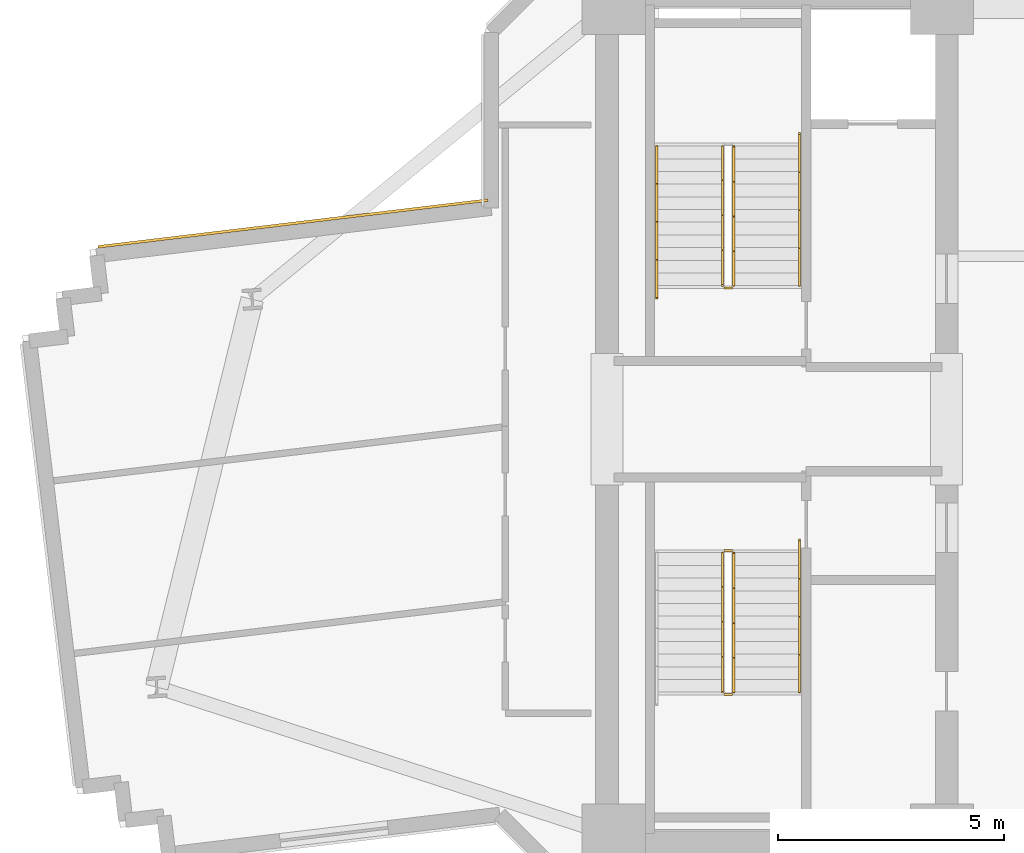
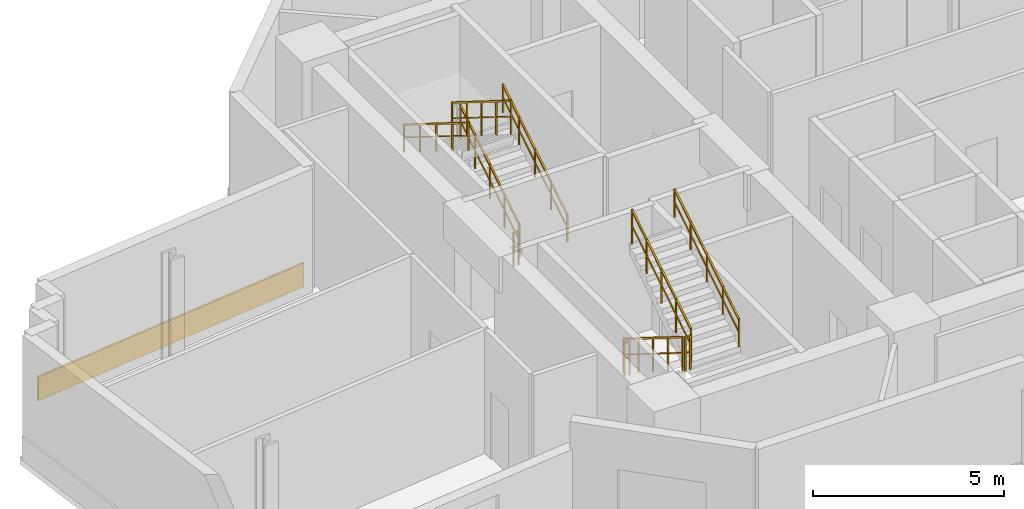
# One storey, part 12 of 15: 10 railings, 1 covering.
"""IFC4 building model written with IfcOpenShell, lengths in metres."""

from ifc_helpers import new_model, si_unit, direction, frame, origin, origin_2d, place, context, subcontext, project, spatial, rectangle, extrude, source, transform, mapped, material, layer, layer_set, type_object, element, save


model = new_model("IFC4")

# Units and contexts
model_context = context("Model", 3, precision=1e-05, world=origin(), true_north=direction((0.0, 1.0)))
body_context = subcontext(model_context, "Body", "Model", "MODEL_VIEW")
ifc_project = project(units=[si_unit("LENGTHUNIT", "METRE"), si_unit("AREAUNIT", "SQUARE_METRE"), si_unit("VOLUMEUNIT", "CUBIC_METRE"), si_unit("PLANEANGLEUNIT", "RADIAN"), si_unit("MASSUNIT", "GRAM", prefix="KILO")], contexts=[model_context])

# Site, building, storey
site_placement = place(None, origin())
site = spatial("IfcSite", under=ifc_project, at=site_placement, CompositionType="ELEMENT")
building_placement = place(site_placement, origin())
building = spatial("IfcBuilding", under=site, at=building_placement, Name="Zahravan Cultural Tower", CompositionType="ELEMENT")
storey_placement = place(building_placement, frame((0.0, 0.0, 113.10009765625)))
storey = spatial("IfcBuildingStorey", under=building, at=storey_placement, Name="L25", CompositionType="ELEMENT", Elevation=113.10009765625)

# Railings
ifc_material_1 = material(Name="Steel ASTM A572 Grade 50", Category="steel")
railing_type_1 = type_object("IfcRailingType", Name="RL-STAIR-GRD1150", PredefinedType="BALUSTRADE", material=ifc_material_1)
railing_1_placement = place(storey_placement, frame((24.300048828125, 29.949951171875, 0.1748046875)))
element("IfcRailing", 1, at=railing_1_placement, inside=storey, type_object=railing_type_1, Name="L25 ST-W1 stair guard 1", PredefinedType="BALUSTRADE", context=body_context, shape_type="SweptSolid", body=[
    extrude(rectangle(XDim=0.05, YDim=0.05, at=origin_2d()), frame((0.0, 0.0, 1.0751953125), z_axis=(0.0, 0.847998304005, 0.529998940003), x_axis=(-1.0, 0.0, 0.0)), (0.0, 0.0, 1.0), 3.632080078125),
    extrude(rectangle(XDim=0.032, YDim=0.032, at=origin_2d()), frame((0.0, 0.0, 0.572021484375), z_axis=(0.0, 0.847998304005, 0.529998940003), x_axis=(-1.0, 0.0, 0.0)), (0.0, 0.0, 1.0), 3.632080078125),
    extrude(rectangle(XDim=0.04, YDim=0.04, at=origin_2d()), origin(), (0.0, 0.0, 1.0), 1.10009765625),
    extrude(rectangle(XDim=0.04, YDim=0.04, at=origin_2d()), frame((0.0, 0.77001953125, 0.481201171875)), (0.0, 0.0, 1.0), 1.10009765625),
    extrude(rectangle(XDim=0.04, YDim=0.04, at=origin_2d()), frame((0.0, 1.5400390625, 0.96240234375)), (0.0, 0.0, 1.0), 1.10009765625),
    extrude(rectangle(XDim=0.04, YDim=0.04, at=origin_2d()), frame((0.0, 2.31005859375, 1.44384765625)), (0.0, 0.0, 1.0), 1.10009765625),
    extrude(rectangle(XDim=0.04, YDim=0.04, at=origin_2d()), frame((0.0, 3.080078125, 1.925048828125)), (0.0, 0.0, 1.0), 1.10009765625),
])
railing_2_placement = place(storey_placement, frame((24.050048828125, 33.030029296875, 2.27490234375)))
element("IfcRailing", 2, at=railing_2_placement, inside=storey, type_object=railing_type_1, Name="L25 ST-W1 stair guard 3", PredefinedType="BALUSTRADE", context=body_context, shape_type="SweptSolid", body=[
    extrude(rectangle(XDim=0.05, YDim=0.05, at=origin_2d()), frame((0.0, 0.0, 1.0751953125), z_axis=(0.0, -0.847998304005, 0.529998940003), x_axis=(1.0, 0.0, 0.0)), (0.0, 0.0, 1.0), 3.632080078125),
    extrude(rectangle(XDim=0.032, YDim=0.032, at=origin_2d()), frame((0.0, 0.0, 0.572021484375), z_axis=(0.0, -0.847998304005, 0.529998940003), x_axis=(1.0, 0.0, 0.0)), (0.0, 0.0, 1.0), 3.632080078125),
    extrude(rectangle(XDim=0.04, YDim=0.04, at=origin_2d()), origin(), (0.0, 0.0, 1.0), 1.10009765625),
    extrude(rectangle(XDim=0.04, YDim=0.04, at=origin_2d()), frame((0.0, -0.77001953125, 0.481201171875)), (0.0, 0.0, 1.0), 1.10009765625),
    extrude(rectangle(XDim=0.04, YDim=0.04, at=origin_2d()), frame((0.0, -1.5400390625, 0.96240234375)), (0.0, 0.0, 1.0), 1.10009765625),
    extrude(rectangle(XDim=0.04, YDim=0.04, at=origin_2d()), frame((0.0, -2.31005859375, 1.44384765625)), (0.0, 0.0, 1.0), 1.10009765625),
    extrude(rectangle(XDim=0.04, YDim=0.04, at=origin_2d()), frame((0.0, -3.080078125, 1.925048828125)), (0.0, 0.0, 1.0), 1.10009765625),
])
railing_3_placement = place(storey_placement, frame((24.25, 29.89990234375, 0.0)))
element("IfcRailing", 3, at=railing_3_placement, inside=storey, type_object=railing_type_1, Name="L25 ST-W1 stair guard 4", PredefinedType="BALUSTRADE", context=body_context, shape_type="SweptSolid", body=[
    extrude(rectangle(XDim=0.05, YDim=0.05, at=origin_2d()), frame((0.0, 0.0, 1.0751953125), z_axis=(-1.0, 0.0, 0.0), x_axis=(0.0, -1.0, 0.0)), (0.0, 0.0, 1.0), 0.14990234375),
    extrude(rectangle(XDim=0.032, YDim=0.032, at=origin_2d()), frame((0.0, 0.0, 0.572021484375), z_axis=(-1.0, 0.0, 0.0), x_axis=(0.0, -1.0, 0.0)), (0.0, 0.0, 1.0), 0.14990234375),
    extrude(rectangle(XDim=0.04, YDim=0.04, at=origin_2d()), origin(), (0.0, 0.0, 1.0), 1.10009765625),
    extrude(rectangle(XDim=0.04, YDim=0.04, at=origin_2d()), frame((-0.14990234375, 0.0, 0.0)), (0.0, 0.0, 1.0), 1.10009765625),
])
railing_4_placement = place(storey_placement, frame((24.050048828125, 24.050048828125, 0.1748046875)))
element("IfcRailing", 4, at=railing_4_placement, inside=storey, type_object=railing_type_1, Name="L25 ST-W2 stair guard 1", PredefinedType="BALUSTRADE", context=body_context, shape_type="SweptSolid", body=[
    extrude(rectangle(XDim=0.05, YDim=0.05, at=origin_2d()), frame((0.0, 0.0, 1.0751953125), z_axis=(0.0, -0.847998304005, 0.529998940003), x_axis=(1.0, 0.0, 0.0)), (0.0, 0.0, 1.0), 3.632080078125),
    extrude(rectangle(XDim=0.032, YDim=0.032, at=origin_2d()), frame((0.0, 0.0, 0.572021484375), z_axis=(0.0, -0.847998304005, 0.529998940003), x_axis=(1.0, 0.0, 0.0)), (0.0, 0.0, 1.0), 3.632080078125),
    extrude(rectangle(XDim=0.04, YDim=0.04, at=origin_2d()), origin(), (0.0, 0.0, 1.0), 1.10009765625),
    extrude(rectangle(XDim=0.04, YDim=0.04, at=origin_2d()), frame((0.0, -0.77001953125, 0.481201171875)), (0.0, 0.0, 1.0), 1.10009765625),
    extrude(rectangle(XDim=0.04, YDim=0.04, at=origin_2d()), frame((0.0, -1.5400390625, 0.96240234375)), (0.0, 0.0, 1.0), 1.10009765625),
    extrude(rectangle(XDim=0.04, YDim=0.04, at=origin_2d()), frame((0.0, -2.31005859375, 1.44384765625)), (0.0, 0.0, 1.0), 1.10009765625),
    extrude(rectangle(XDim=0.04, YDim=0.04, at=origin_2d()), frame((0.0, -3.080078125, 1.925048828125)), (0.0, 0.0, 1.0), 1.10009765625),
])
railing_5_placement = place(storey_placement, frame((24.10009765625, 20.919921875, 2.099853515625)))
element("IfcRailing", 5, at=railing_5_placement, inside=storey, type_object=railing_type_1, Name="L25 ST-W2 stair guard 2", PredefinedType="BALUSTRADE", context=body_context, shape_type="SweptSolid", body=[
    extrude(rectangle(XDim=0.05, YDim=0.05, at=origin_2d()), frame((0.0, 0.0, 1.0751953125), z_axis=(1.0, 0.0, 0.0), x_axis=(0.0, 1.0, 0.0)), (0.0, 0.0, 1.0), 0.14990234375),
    extrude(rectangle(XDim=0.032, YDim=0.032, at=origin_2d()), frame((0.0, 0.0, 0.572021484375), z_axis=(1.0, 0.0, 0.0), x_axis=(0.0, 1.0, 0.0)), (0.0, 0.0, 1.0), 0.14990234375),
    extrude(rectangle(XDim=0.04, YDim=0.04, at=origin_2d()), origin(), (0.0, 0.0, 1.0), 1.10009765625),
    extrude(rectangle(XDim=0.04, YDim=0.04, at=origin_2d()), frame((0.14990234375, 0.0, 0.0)), (0.0, 0.0, 1.0), 1.10009765625),
])
railing_6_placement = place(storey_placement, frame((24.300048828125, 20.969970703125, 2.27490234375)))
element("IfcRailing", 6, at=railing_6_placement, inside=storey, type_object=railing_type_1, Name="L25 ST-W2 stair guard 3", PredefinedType="BALUSTRADE", context=body_context, shape_type="SweptSolid", body=[
    extrude(rectangle(XDim=0.05, YDim=0.05, at=origin_2d()), frame((0.0, 0.0, 1.0751953125), z_axis=(0.0, 0.847998304005, 0.529998940003), x_axis=(-1.0, 0.0, 0.0)), (0.0, 0.0, 1.0), 3.632080078125),
    extrude(rectangle(XDim=0.032, YDim=0.032, at=origin_2d()), frame((0.0, 0.0, 0.572021484375), z_axis=(0.0, 0.847998304005, 0.529998940003), x_axis=(-1.0, 0.0, 0.0)), (0.0, 0.0, 1.0), 3.632080078125),
    extrude(rectangle(XDim=0.04, YDim=0.04, at=origin_2d()), origin(), (0.0, 0.0, 1.0), 1.10009765625),
    extrude(rectangle(XDim=0.04, YDim=0.04, at=origin_2d()), frame((0.0, 0.77001953125, 0.481201171875)), (0.0, 0.0, 1.0), 1.10009765625),
    extrude(rectangle(XDim=0.04, YDim=0.04, at=origin_2d()), frame((0.0, 1.5400390625, 0.96240234375)), (0.0, 0.0, 1.0), 1.10009765625),
    extrude(rectangle(XDim=0.04, YDim=0.04, at=origin_2d()), frame((0.0, 2.31005859375, 1.44384765625)), (0.0, 0.0, 1.0), 1.10009765625),
    extrude(rectangle(XDim=0.04, YDim=0.04, at=origin_2d()), frame((0.0, 3.080078125, 1.925048828125)), (0.0, 0.0, 1.0), 1.10009765625),
])
railing_7_placement = place(storey_placement, frame((24.10009765625, 24.10009765625, 0.0)))
element("IfcRailing", 7, at=railing_7_placement, inside=storey, type_object=railing_type_1, Name="L25 ST-W2 stair guard 4", PredefinedType="BALUSTRADE", context=body_context, shape_type="SweptSolid", body=[
    extrude(rectangle(XDim=0.05, YDim=0.05, at=origin_2d()), frame((0.0, 0.0, 1.0751953125), z_axis=(1.0, 0.0, 0.0), x_axis=(0.0, 1.0, 0.0)), (0.0, 0.0, 1.0), 0.14990234375),
    extrude(rectangle(XDim=0.032, YDim=0.032, at=origin_2d()), frame((0.0, 0.0, 0.572021484375), z_axis=(1.0, 0.0, 0.0), x_axis=(0.0, 1.0, 0.0)), (0.0, 0.0, 1.0), 0.14990234375),
    extrude(rectangle(XDim=0.04, YDim=0.04, at=origin_2d()), origin(), (0.0, 0.0, 1.0), 1.10009765625),
    extrude(rectangle(XDim=0.04, YDim=0.04, at=origin_2d()), frame((0.14990234375, 0.0, 0.0)), (0.0, 0.0, 1.0), 1.10009765625),
])
railing_type_2 = type_object("IfcRailingType", Name="RL-STAIR-HR900", PredefinedType="HANDRAIL", material=ifc_material_1)
railing_8_placement = place(storey_placement, frame((25.75, 29.949951171875, 0.1748046875)))
element("IfcRailing", 8, at=railing_8_placement, inside=storey, type_object=railing_type_2, Name="L25 ST-W1 stair handrail 1", PredefinedType="HANDRAIL", context=body_context, shape_type="SweptSolid", body=[
    extrude(rectangle(XDim=0.05, YDim=0.05, at=origin_2d()), frame((0.0, 0.0, 0.875), z_axis=(0.0, 0.847994842521, 0.530004478338), x_axis=(-1.0, 0.0, 0.0)), (0.0, 0.0, 1.0), 3.96240234375),
    extrude(rectangle(XDim=0.032, YDim=0.032, at=origin_2d()), frame((0.0, 0.0, 0.468017578125), z_axis=(0.0, 0.847994842521, 0.530004478338), x_axis=(-1.0, 0.0, 0.0)), (0.0, 0.0, 1.0), 3.96240234375),
    extrude(rectangle(XDim=0.04, YDim=0.04, at=origin_2d()), origin(), (0.0, 0.0, 1.0), 0.89990234375),
    extrude(rectangle(XDim=0.04, YDim=0.04, at=origin_2d()), frame((0.0, 0.840087890625, 0.52490234375)), (0.0, 0.0, 1.0), 0.89990234375),
    extrude(rectangle(XDim=0.04, YDim=0.04, at=origin_2d()), frame((0.0, 1.68017578125, 1.050048828125)), (0.0, 0.0, 1.0), 0.89990234375),
    extrude(rectangle(XDim=0.04, YDim=0.04, at=origin_2d()), frame((0.0, 2.52001953125, 1.5751953125)), (0.0, 0.0, 1.0), 0.89990234375),
    extrude(rectangle(XDim=0.04, YDim=0.04, at=origin_2d()), frame((0.0, 3.360107421875, 2.10009765625)), (0.0, 0.0, 1.0), 0.89990234375),
])
railing_9_placement = place(storey_placement, frame((22.60009765625, 33.030029296875, 2.27490234375)))
element("IfcRailing", 9, at=railing_9_placement, inside=storey, type_object=railing_type_2, Name="L25 ST-W1 stair handrail 2", PredefinedType="HANDRAIL", context=body_context, shape_type="SweptSolid", body=[
    extrude(rectangle(XDim=0.05, YDim=0.05, at=origin_2d()), frame((0.0, 0.0, 0.875), z_axis=(0.0, -0.847994842521, 0.530004478338), x_axis=(1.0, 0.0, 0.0)), (0.0, 0.0, 1.0), 3.96240234375),
    extrude(rectangle(XDim=0.032, YDim=0.032, at=origin_2d()), frame((0.0, 0.0, 0.468017578125), z_axis=(0.0, -0.847994842521, 0.530004478338), x_axis=(1.0, 0.0, 0.0)), (0.0, 0.0, 1.0), 3.96240234375),
    extrude(rectangle(XDim=0.04, YDim=0.04, at=origin_2d()), origin(), (0.0, 0.0, 1.0), 0.89990234375),
    extrude(rectangle(XDim=0.04, YDim=0.04, at=origin_2d()), frame((0.0, -0.840087890625, 0.52490234375)), (0.0, 0.0, 1.0), 0.89990234375),
    extrude(rectangle(XDim=0.04, YDim=0.04, at=origin_2d()), frame((0.0, -1.68017578125, 1.050048828125)), (0.0, 0.0, 1.0), 0.89990234375),
    extrude(rectangle(XDim=0.04, YDim=0.04, at=origin_2d()), frame((0.0, -2.52001953125, 1.5751953125)), (0.0, 0.0, 1.0), 0.89990234375),
    extrude(rectangle(XDim=0.04, YDim=0.04, at=origin_2d()), frame((0.0, -3.360107421875, 2.10009765625)), (0.0, 0.0, 1.0), 0.89990234375),
])
railing_10_placement = place(storey_placement, frame((25.75, 20.969970703125, 2.27490234375)))
element("IfcRailing", 10, at=railing_10_placement, inside=storey, type_object=railing_type_2, Name="L25 ST-W2 stair handrail 2", PredefinedType="HANDRAIL", context=body_context, shape_type="SweptSolid", body=[
    extrude(rectangle(XDim=0.05, YDim=0.05, at=origin_2d()), frame((0.0, 0.0, 0.875), z_axis=(0.0, 0.847994842521, 0.530004478338), x_axis=(-1.0, 0.0, 0.0)), (0.0, 0.0, 1.0), 3.96240234375),
    extrude(rectangle(XDim=0.032, YDim=0.032, at=origin_2d()), frame((0.0, 0.0, 0.468017578125), z_axis=(0.0, 0.847994842521, 0.530004478338), x_axis=(-1.0, 0.0, 0.0)), (0.0, 0.0, 1.0), 3.96240234375),
    extrude(rectangle(XDim=0.04, YDim=0.04, at=origin_2d()), origin(), (0.0, 0.0, 1.0), 0.89990234375),
    extrude(rectangle(XDim=0.04, YDim=0.04, at=origin_2d()), frame((0.0, 0.840087890625, 0.52490234375)), (0.0, 0.0, 1.0), 0.89990234375),
    extrude(rectangle(XDim=0.04, YDim=0.04, at=origin_2d()), frame((0.0, 1.68017578125, 1.050048828125)), (0.0, 0.0, 1.0), 0.89990234375),
    extrude(rectangle(XDim=0.04, YDim=0.04, at=origin_2d()), frame((0.0, 2.52001953125, 1.5751953125)), (0.0, 0.0, 1.0), 0.89990234375),
    extrude(rectangle(XDim=0.04, YDim=0.04, at=origin_2d()), frame((0.0, 3.360107421875, 2.10009765625)), (0.0, 0.0, 1.0), 0.89990234375),
])

# Covering
ifc_material_2 = material(Name="Terracotta ceramic cladding", Category="masonry")
ifc_layer = layer(ifc_material_2, 0.06005859375)
ifc_layer_set = layer_set([ifc_layer], Name="Terracotta ceramic cladding")
covering_type = type_object("IfcCoveringType", Name="COV-CLAD-TC60", PredefinedType="CLADDING", material=ifc_layer_set)
shared_shape = source(origin(), body_context, "Body", "SweptSolid", [
    extrude(rectangle(XDim=8.676513671875, YDim=0.06005859375, at=origin_2d()), origin(), (0.0, 0.0, 1.0), 0.760009765625),
])
covering_placement = place(storey_placement, frame((14.560791015625, 31.322509765625, 0.02001953125), z_axis=(0.0, 0.0, 1.0), x_axis=(0.99288260457, 0.119097160095, 0.0)))
element("IfcCovering", 11, at=covering_placement, inside=storey, type_object=covering_type, Name="L25 Terracotta Spandrel Cladding 37", PredefinedType="CLADDING", context=body_context, shape_type="MappedRepresentation", body=[
    mapped(shared_shape, transform((0.0, 0.0, 0.0), x_axis=(1.0, 0.0, 0.0), y_axis=(0.0, 1.0, 0.0), z_axis=(0.0, 0.0, 1.0), scale=1.0)),
])

save(model, "model.ifc")
